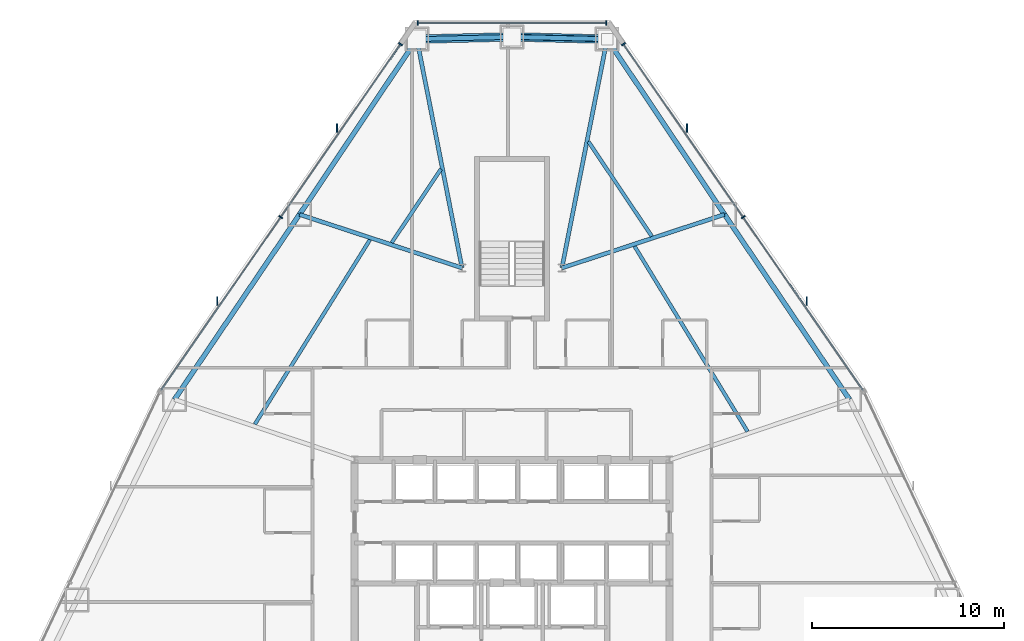
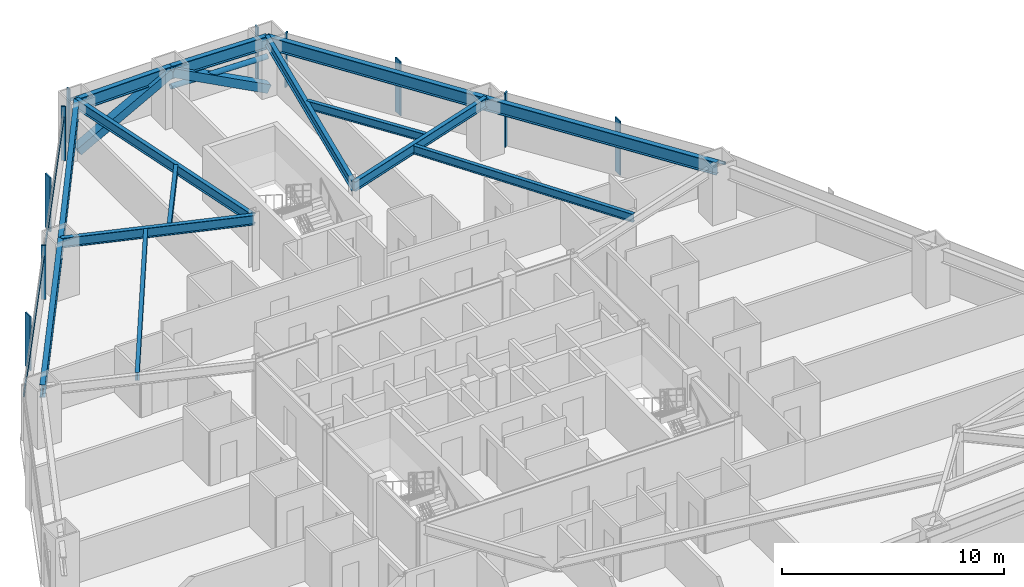
# One storey, part 7 of 13: 16 members, 14 beams, 3 elements without a shape of their own.
"""IFC4 building model written with IfcOpenShell, lengths in metres."""

from ifc_helpers import new_model, si_unit, direction, frame, origin, origin_2d, place, context, subcontext, project, spatial, rectangle, hollow_rectangle, hollow_circle, i_section, extrude, source, transform, mapped, material, layer, layer_set, material_profile, profile_set, type_object, type_shapes, element, aggregate, save


model = new_model("IFC4")

# Units and contexts
model_context = context("Model", 3, precision=1e-05, world=origin(), true_north=direction((0.0, 1.0)))
body_context = subcontext(model_context, "Body", "Model", "MODEL_VIEW")
ifc_project = project(units=[si_unit("LENGTHUNIT", "METRE"), si_unit("AREAUNIT", "SQUARE_METRE"), si_unit("VOLUMEUNIT", "CUBIC_METRE"), si_unit("PLANEANGLEUNIT", "RADIAN"), si_unit("MASSUNIT", "GRAM", prefix="KILO")], contexts=[model_context])

# Site, building, storey
site_placement = place(None, origin())
site = spatial("IfcSite", under=ifc_project, at=site_placement, CompositionType="ELEMENT")
building_placement = place(site_placement, origin())
building = spatial("IfcBuilding", under=site, at=building_placement, Name="Varakhsha Concourse Tower", CompositionType="ELEMENT")
storey_placement = place(building_placement, frame((0.0, 0.0, 46.39990234375)))
storey = spatial("IfcBuildingStorey", under=building, at=storey_placement, Name="L12", CompositionType="ELEMENT", Elevation=46.39990234375)

# Beams
ifc_material_1 = material(Name="Structural Steel ASTM A992 Grade 50", Category="steel")
ifc_material_profile_1 = material_profile(ifc_material_1, i_section(OverallWidth=0.19091796875, OverallDepth=0.45703125, WebThickness=0.009033203125, FlangeThickness=0.013916015625, at=origin_2d()), Name="W18X50")
ifc_profile_set_1 = profile_set([ifc_material_profile_1], Name="Structural Steel ASTM A992 Grade 50")
beam_type_1 = type_object("IfcBeamType", Name="BM-JST-W18X50", PredefinedType="JOIST", material=ifc_profile_set_1)
beam_1_placement = place(storey_placement, frame((36.301513671875, 46.353271484375, 2.751708984375), z_axis=(-0.556139741042, -0.831088796961, 0.0), x_axis=(0.831088796961, -0.556139741042, 0.0)))
element("IfcBeam", 1, at=beam_1_placement, inside=storey, type_object=beam_type_1, Name="BM-TJST-L12-03", PredefinedType="JOIST", context=body_context, shape_type="SweptSolid", body=[
    extrude(i_section(OverallWidth=0.19091796875, OverallDepth=0.45703125, WebThickness=0.009033203125, FlangeThickness=0.013916015625, at=origin_2d()), origin(), (0.0, 0.0, 1.0), 4.615478515625),
])
beam_2_placement = place(storey_placement, frame((32.598876953125, 42.666748046875, 2.751708984375), z_axis=(-0.529264354288, -0.84845697786, 0.0), x_axis=(0.84845697786, -0.529264354288, 0.0)))
element("IfcBeam", 2, at=beam_2_placement, inside=storey, type_object=beam_type_1, Name="BM-TJST-L12-04", PredefinedType="JOIST", context=body_context, shape_type="SweptSolid", body=[
    extrude(i_section(OverallWidth=0.19091796875, OverallDepth=0.45703125, WebThickness=0.009033203125, FlangeThickness=0.013916015625, at=origin_2d()), origin(), (0.0, 0.0, 1.0), 11.325439453125),
])
beam_3_placement = place(storey_placement, frame((52.2705078125, 32.68017578125, 2.751708984375), z_axis=(-0.520709938116, 0.853733658905, 0.0), x_axis=(-0.853733658905, -0.520709938116, 0.0)))
element("IfcBeam", 3, at=beam_3_placement, inside=storey, type_object=beam_type_1, Name="BM-TJST-L12-17", PredefinedType="JOIST", context=body_context, shape_type="SweptSolid", body=[
    extrude(i_section(OverallWidth=0.19091796875, OverallDepth=0.45703125, WebThickness=0.009033203125, FlangeThickness=0.013916015625, at=origin_2d()), origin(), (0.0, 0.0, 1.0), 11.30517578125),
])
beam_4_placement = place(storey_placement, frame((47.28173828125, 42.8515625, 2.751708984375), z_axis=(-0.556123442596, 0.831099703161, 0.0), x_axis=(-0.831099703161, -0.556123442596, 0.0)))
element("IfcBeam", 4, at=beam_4_placement, inside=storey, type_object=beam_type_1, Name="BM-TJST-L12-18", PredefinedType="JOIST", context=body_context, shape_type="SweptSolid", body=[
    extrude(i_section(OverallWidth=0.19091796875, OverallDepth=0.45703125, WebThickness=0.009033203125, FlangeThickness=0.013916015625, at=origin_2d()), origin(), (0.0, 0.0, 1.0), 5.9345703125),
])
ifc_material_profile_2 = material_profile(ifc_material_1, i_section(OverallWidth=0.2109375, OverallDepth=0.5390625, WebThickness=0.011962890625, FlangeThickness=0.01904296875, at=origin_2d()), Name="W21X73")
ifc_profile_set_2 = profile_set([ifc_material_profile_2], Name="Structural Steel ASTM A992 Grade 50")
beam_type_2 = type_object("IfcBeamType", Name="BM-RAD-W21X73", PredefinedType="BEAM", material=ifc_profile_set_2)
for number, where, z_axis, x_axis, name in (
    (5, (42.60009765625, 41.199951171875, 2.710693359375), (0.194017518597, 0.980998064462, 0.0), (-0.980998064462, 0.194017518597, 0.0), "L12 Radial Floor Girder 01"),
    (6, (37.39990234375, 41.199951171875, 2.710693359375), (-0.194017518597, 0.980998064462, 0.0), (-0.980998064462, -0.194017518597, 0.0), "L12 Radial Floor Girder 03"),
):
    element("IfcBeam", number, at=place(storey_placement, frame(where, z_axis=z_axis, x_axis=x_axis)), inside=storey, type_object=beam_type_2, Name=name, PredefinedType="BEAM", context=body_context, shape_type="SweptSolid", body=[
        extrude(i_section(OverallWidth=0.2109375, OverallDepth=0.5390625, WebThickness=0.011962890625, FlangeThickness=0.01904296875, at=origin_2d()), origin(), (0.0, 0.0, 1.0), 12.150634765625),
    ])
for number, where, z_axis, x_axis, name in (
    (7, (37.39990234375, 41.199951171875, 2.710693359375), (-0.949919158928, 0.312495746373, 0.0), (-0.312495746373, -0.949919158928, 0.0), "L12 Radial Floor Girder 04"),
    (8, (42.60009765625, 41.199951171875, 2.710693359375), (0.949919158928, 0.312495746373, 0.0), (-0.312495746373, 0.949919158928, 0.0), "L12 Radial Floor Girder 18"),
):
    element("IfcBeam", number, at=place(storey_placement, frame(where, z_axis=z_axis, x_axis=x_axis)), inside=storey, type_object=beam_type_2, Name=name, PredefinedType="BEAM", context=body_context, shape_type="SweptSolid", body=[
        extrude(i_section(OverallWidth=0.2109375, OverallDepth=0.5390625, WebThickness=0.011962890625, FlangeThickness=0.01904296875, at=origin_2d()), origin(), (0.0, 0.0, 1.0), 8.915771484375),
    ])
ifc_material_profile_3 = material_profile(ifc_material_1, i_section(OverallWidth=0.25390625, OverallDepth=0.701904296875, WebThickness=0.014892578125, FlangeThickness=0.028076171875, at=origin_2d()), Name="W27X129")
ifc_profile_set_3 = profile_set([ifc_material_profile_3], Name="Structural Steel ASTM A992 Grade 50")
beam_type_3 = type_object("IfcBeamType", Name="BM-SPAN-W27X129", PredefinedType="SPANDREL", material=ifc_profile_set_3)
for number, where, z_axis, x_axis, name in (
    (9, (44.95751953125, 53.11962890625, 2.629150390625), (-0.999719567284, 0.023680937253, 0.0), (-0.023680937253, -0.999719567284, 0.0), "BM-SPAN-L12-01"),
    (10, (40.0, 53.237060546875, 2.629150390625), (-0.999719567284, -0.023680937253, 0.0), (0.023680937253, -0.999719567284, 0.0), "BM-SPAN-L12-02"),
):
    element("IfcBeam", number, at=place(storey_placement, frame(where, z_axis=z_axis, x_axis=x_axis)), inside=storey, type_object=beam_type_3, Name=name, PredefinedType="SPANDREL", context=body_context, shape_type="SweptSolid", body=[
        extrude(i_section(OverallWidth=0.25390625, OverallDepth=0.701904296875, WebThickness=0.014892578125, FlangeThickness=0.028076171875, at=origin_2d()), origin(), (0.0, 0.0, 1.0), 4.958984375),
    ])
beam_5_placement = place(storey_placement, frame((35.04248046875, 53.11962890625, 2.629150390625), z_axis=(-0.556134813148, -0.831092094539, 0.0), x_axis=(0.831092094539, -0.556134813148, 0.0)))
element("IfcBeam", 11, at=beam_5_placement, inside=storey, type_object=beam_type_3, Name="BM-SPAN-L12-03", PredefinedType="SPANDREL", context=body_context, shape_type="SweptSolid", body=[
    extrude(i_section(OverallWidth=0.25390625, OverallDepth=0.701904296875, WebThickness=0.014892578125, FlangeThickness=0.028076171875, at=origin_2d()), origin(), (0.0, 0.0, 1.0), 10.98974609375),
])
for number, where, z_axis, x_axis, name in (
    (12, (28.9306640625, 43.986083984375, 2.629150390625), (-0.559921293573, -0.828545801392, 0.0), (0.828545801392, -0.559921293573, 0.0), "BM-SPAN-L12-04"),
    (13, (57.5810546875, 34.350341796875, 2.629150390625), (-0.559921293573, 0.828545801392, 0.0), (-0.828545801392, -0.559921293573, 0.0), "BM-SPAN-L12-17"),
):
    element("IfcBeam", number, at=place(storey_placement, frame(where, z_axis=z_axis, x_axis=x_axis)), inside=storey, type_object=beam_type_3, Name=name, PredefinedType="SPANDREL", context=body_context, shape_type="SweptSolid", body=[
        extrude(i_section(OverallWidth=0.25390625, OverallDepth=0.701904296875, WebThickness=0.014892578125, FlangeThickness=0.028076171875, at=origin_2d()), origin(), (0.0, 0.0, 1.0), 11.629638671875),
    ])
beam_6_placement = place(storey_placement, frame((51.0693359375, 43.986083984375, 2.629150390625), z_axis=(-0.556134813148, 0.831092094539, 0.0), x_axis=(-0.831092094539, -0.556134813148, 0.0)))
element("IfcBeam", 14, at=beam_6_placement, inside=storey, type_object=beam_type_3, Name="BM-SPAN-L12-18", PredefinedType="SPANDREL", context=body_context, shape_type="SweptSolid", body=[
    extrude(i_section(OverallWidth=0.25390625, OverallDepth=0.701904296875, WebThickness=0.014892578125, FlangeThickness=0.028076171875, at=origin_2d()), origin(), (0.0, 0.0, 1.0), 10.98974609375),
])

# Members
ifc_material_2 = material(Name="Structural Steel ASTM A500 Grade C", Category="steel")
ifc_material_profile_4 = material_profile(ifc_material_2, hollow_rectangle(XDim=0.449951171875, YDim=0.449951171875, WallThickness=0.01904296875, at=origin_2d()), Name="HSS 450x450x19")
ifc_profile_set_4 = profile_set([ifc_material_profile_4], Name="Structural Steel ASTM A500 Grade C")
member_type_1 = type_object("IfcMemberType", Name="MB-TUBE-HSS450", PredefinedType="BRACE", material=ifc_profile_set_4)
shared_shape_1 = source(origin(), body_context, "Body", "SweptSolid", [
    extrude(hollow_rectangle(XDim=0.449951171875, YDim=0.449951171875, WallThickness=0.01904296875, at=origin_2d()), origin(), (0.0, 0.0, 1.0), 5.580810546875),
])
type_shapes(member_type_1, [shared_shape_1])
for number, where, z_axis, x_axis, name in (
    (15, (44.95751953125, 53.11962890625, 0.1201171875), (-0.88832610947, 0.021042295807, 0.458730797986), (-0.023680937253, -0.999719567284, 0.0), "L12 Wind-Corner Tube Brace B01"),
    (16, (35.04248046875, 53.11962890625, 0.1201171875), (0.88832610947, 0.021042295807, 0.458730797986), (-0.023680937253, 0.999719567284, 0.0), "L12 Wind-Corner Tube Brace B02"),
):
    element("IfcMember", number, at=place(storey_placement, frame(where, z_axis=z_axis, x_axis=x_axis)), inside=storey, type_object=member_type_1, Name=name, PredefinedType="BRACE", context=body_context, shape_type="MappedRepresentation", body=[
        mapped(shared_shape_1, transform((0.0, 0.0, 0.0), scale=1.0)),
    ])
ifc_material_profile_5 = material_profile(ifc_material_2, hollow_circle(Radius=0.136474609375, WallThickness=0.011962890625, at=origin_2d()), Name="CHS 273x12")
ifc_profile_set_5 = profile_set([ifc_material_profile_5], Name="Structural Steel ASTM A500 Grade C")
member_type_2 = type_object("IfcMemberType", Name="MB-WIND-CHS273", PredefinedType="COLLAR", material=ifc_profile_set_5)
shared_shape_2 = source(origin(), body_context, "Body", "SweptSolid", [
    extrude(hollow_circle(Radius=0.136474609375, WallThickness=0.011962890625, at=origin_2d()), origin(), (0.0, 0.0, 1.0), 4.958984375),
])
type_shapes(member_type_2, [shared_shape_2])
member_1_placement = place(storey_placement, frame((44.95751953125, 53.11962890625, 1.800048828125), z_axis=(-0.999719567284, 0.023680937253, 0.0), x_axis=(-0.023680937253, -0.999719567284, 0.0)))
element("IfcMember", 17, at=member_1_placement, inside=storey, type_object=member_type_2, Name="L12 Wind-Corner Collar Tie 1", PredefinedType="COLLAR", context=body_context, shape_type="MappedRepresentation", body=[
    mapped(shared_shape_2, transform((0.0, 0.0, 0.0), scale=1.0)),
])

# Curtain wall, members
ifc_material_3 = material(Name="Anodised Bronze Architectural Aluminium AA 6063-T6", Category="aluminium")
ifc_layer = layer(ifc_material_3, 0.219970703125, Name="CW-SYS-02")
ifc_layer_set = layer_set([ifc_layer], Name="Anodised Bronze Architectural Aluminium AA 6063-T6")
curtain_wall_type = type_object("IfcCurtainWallType", Name="CW-SYS-02", PredefinedType="NOTDEFINED", material=ifc_layer_set)
curtain_wall_1_placement = place(storey_placement, origin())
curtain_wall_1 = element("IfcCurtainWall", 18, at=curtain_wall_1_placement, inside=storey, type_object=curtain_wall_type, Name="L12 Chamfer Curtain Wall F1", PredefinedType="NOTDEFINED")
ifc_material_profile_6 = material_profile(ifc_material_3, rectangle(XDim=0.074951171875, YDim=0.219970703125, at=origin_2d()), Name="CWM-220X75")
ifc_profile_set_6 = profile_set([ifc_material_profile_6], Name="Anodised Bronze Architectural Aluminium AA 6063-T6")
member_type_3 = type_object("IfcMemberType", Name="CWM-220X75", PredefinedType="MULLION", material=ifc_profile_set_6)
shared_shape_3 = source(origin(), body_context, "Body", "SweptSolid", [
    extrude(rectangle(XDim=0.074951171875, YDim=0.219970703125, at=origin_2d()), origin(), (0.0, 0.0, 1.0), 2.97998046875),
])
type_shapes(member_type_3, [shared_shape_3])
member_2_placement = place(storey_placement, frame((35.091552734375, 53.95703125, 0.0), z_axis=(0.0, 0.0, 1.0), x_axis=(1.0, 0.0, 0.0)))
member_2 = element("IfcMember", 19, at=member_2_placement, type_object=member_type_3, Name="CW-L12-F1 Mullion 00", PredefinedType="MULLION", context=body_context, shape_type="MappedRepresentation", body=[
    mapped(shared_shape_3, transform((0.0, 0.0, 0.0), scale=1.0)),
])
member_3_placement = place(storey_placement, frame((44.908447265625, 53.95703125, 0.0), z_axis=(0.0, 0.0, 1.0), x_axis=(1.0, 0.0, 0.0)))
member_3 = element("IfcMember", 20, at=member_3_placement, type_object=member_type_3, Name="CW-L12-F1 Mullion 01", PredefinedType="MULLION", context=body_context, shape_type="MappedRepresentation", body=[
    mapped(shared_shape_3, transform((0.0, 0.0, 0.0), scale=1.0)),
])

curtain_wall_2_placement = place(storey_placement, origin())
curtain_wall_2 = element("IfcCurtainWall", 21, at=curtain_wall_2_placement, inside=storey, type_object=curtain_wall_type, Name="L12 Crystal Curtain Wall F2", PredefinedType="NOTDEFINED")
member_4_placement = place(storey_placement, frame((27.957275390625, 43.844482421875, 0.0), z_axis=(0.0, 0.0, 1.0), x_axis=(0.569057091236, 0.822298015877, 0.0)))
member_4 = element("IfcMember", 22, at=member_4_placement, type_object=member_type_3, Name="CW-L12-F2 Mullion 01", PredefinedType="MULLION", context=body_context, shape_type="MappedRepresentation", body=[
    mapped(shared_shape_3, transform((0.0, 0.0, 0.0), scale=1.0)),
])
member_5_placement = place(storey_placement, frame((34.195068359375, 52.8583984375, 0.0), z_axis=(0.0, 0.0, 1.0), x_axis=(0.569057091236, 0.822298015877, 0.0)))
member_5 = element("IfcMember", 23, at=member_5_placement, type_object=member_type_3, Name="CW-L12-F2 Mullion 02", PredefinedType="MULLION", context=body_context, shape_type="MappedRepresentation", body=[
    mapped(shared_shape_3, transform((0.0, 0.0, 0.0), scale=1.0)),
])

curtain_wall_3_placement = place(storey_placement, origin())
curtain_wall_3 = element("IfcCurtainWall", 24, at=curtain_wall_3_placement, inside=storey, type_object=curtain_wall_type, Name="L12 Crystal Curtain Wall F9", PredefinedType="NOTDEFINED")
member_6_placement = place(storey_placement, frame((45.804931640625, 52.8583984375, 0.0), z_axis=(0.0, 0.0, 1.0), x_axis=(0.569057091236, -0.822298015877, 0.0)))
member_6 = element("IfcMember", 25, at=member_6_placement, type_object=member_type_3, Name="CW-L12-F9 Mullion 00", PredefinedType="MULLION", context=body_context, shape_type="MappedRepresentation", body=[
    mapped(shared_shape_3, transform((0.0, 0.0, 0.0), scale=1.0)),
])
member_7_placement = place(storey_placement, frame((52.042724609375, 43.8447265625, 0.0), z_axis=(0.0, 0.0, 1.0), x_axis=(0.569057091236, -0.822298015877, 0.0)))
member_7 = element("IfcMember", 26, at=member_7_placement, type_object=member_type_3, Name="CW-L12-F9 Mullion 01", PredefinedType="MULLION", context=body_context, shape_type="MappedRepresentation", body=[
    mapped(shared_shape_3, transform((0.0, 0.0, 0.0), scale=1.0)),
])

# Member
ifc_material_profile_7 = material_profile(ifc_material_3, rectangle(XDim=0.06494140625, YDim=0.449951171875, at=origin_2d()), Name="FIN-BRZ-450")
ifc_profile_set_7 = profile_set([ifc_material_profile_7], Name="Anodised Bronze Architectural Aluminium AA 6063-T6")
member_type_4 = type_object("IfcMemberType", Name="FIN-BRZ-450", PredefinedType="USERDEFINED", material=ifc_profile_set_7)
shared_shape_4 = source(origin(), body_context, "Body", "SweptSolid", [
    extrude(rectangle(XDim=0.06494140625, YDim=0.449951171875, at=origin_2d()), origin(), (0.0, 0.0, 1.0), 2.97998046875),
])
type_shapes(member_type_4, [shared_shape_4])
member_8_placement = place(storey_placement, frame((24.64111328125, 39.474609375, 0.0), z_axis=(0.0, 0.0, 1.0), x_axis=(1.0, 0.0, 0.0)))
member_8 = element("IfcMember", 27, at=member_8_placement, type_object=member_type_4, Name="L12 Anodised Bronze Solar Fin F2-1", ObjectType="SOLAR FIN", PredefinedType="USERDEFINED", context=body_context, shape_type="MappedRepresentation", body=[
    mapped(shared_shape_4, transform((0.0, 0.0, 0.0), scale=1.0)),
])

member_9_placement = place(storey_placement, frame((30.87890625, 48.488037109375, 0.0), z_axis=(0.0, 0.0, 1.0), x_axis=(1.0, 0.0, 0.0)))
member_9 = element("IfcMember", 28, at=member_9_placement, type_object=member_type_4, Name="L12 Anodised Bronze Solar Fin F2-2", ObjectType="SOLAR FIN", PredefinedType="USERDEFINED", context=body_context, shape_type="MappedRepresentation", body=[
    mapped(shared_shape_4, transform((0.0, 0.0, 0.0), scale=1.0)),
])

member_10_placement = place(storey_placement, frame((49.12109375, 48.488037109375, 0.0), z_axis=(0.0, 0.0, 1.0), x_axis=(1.0, 0.0, 0.0)))
member_10 = element("IfcMember", 29, at=member_10_placement, type_object=member_type_4, Name="L12 Anodised Bronze Solar Fin F9-1", ObjectType="SOLAR FIN", PredefinedType="USERDEFINED", context=body_context, shape_type="MappedRepresentation", body=[
    mapped(shared_shape_4, transform((0.0, 0.0, 0.0), scale=1.0)),
])

member_11_placement = place(storey_placement, frame((55.35888671875, 39.474609375, 0.0), z_axis=(0.0, 0.0, 1.0), x_axis=(1.0, 0.0, 0.0)))
member_11 = element("IfcMember", 30, at=member_11_placement, type_object=member_type_4, Name="L12 Anodised Bronze Solar Fin F9-2", ObjectType="SOLAR FIN", PredefinedType="USERDEFINED", context=body_context, shape_type="MappedRepresentation", body=[
    mapped(shared_shape_4, transform((0.0, 0.0, 0.0), scale=1.0)),
])

ifc_material_profile_8 = material_profile(ifc_material_3, rectangle(XDim=0.06494140625, YDim=0.159912109375, at=origin_2d()), Name="CWT-160X65")
ifc_profile_set_8 = profile_set([ifc_material_profile_8], Name="Anodised Bronze Architectural Aluminium AA 6063-T6")
member_type_5 = type_object("IfcMemberType", Name="CWT-160X65", PredefinedType="USERDEFINED", material=ifc_profile_set_8)
shared_shape_5 = source(origin(), body_context, "Body", "SweptSolid", [
    extrude(rectangle(XDim=0.06494140625, YDim=0.159912109375, at=origin_2d()), origin(), (0.0, 0.0, 1.0), 9.81689453125),
])
member_12_placement = place(storey_placement, frame((35.091552734375, 53.95703125, 2.330078125), z_axis=(1.0, 0.0, 0.0), x_axis=(0.0, 1.0, 0.0)))
member_12 = element("IfcMember", 31, at=member_12_placement, type_object=member_type_5, Name="CW-L12-F1 Transom 01", ObjectType="TRANSOM", PredefinedType="USERDEFINED", context=body_context, shape_type="MappedRepresentation", body=[
    mapped(shared_shape_5, transform((0.0, 0.0, 0.0), scale=1.0)),
])

aggregate(curtain_wall_1, [member_2, member_3, member_12])

shared_shape_6 = source(origin(), body_context, "Body", "SweptSolid", [
    extrude(rectangle(XDim=0.06494140625, YDim=0.159912109375, at=origin_2d()), origin(), (0.0, 0.0, 1.0), 21.923095703125),
])
type_shapes(member_type_5, [shared_shape_5, shared_shape_6])
member_13_placement = place(storey_placement, frame((21.719482421875, 34.8310546875, 2.330078125), z_axis=(0.569059407971, 0.822296412615, 0.0), x_axis=(-0.822296412615, 0.569059407971, 0.0)))
member_13 = element("IfcMember", 32, at=member_13_placement, type_object=member_type_5, Name="CW-L12-F2 Transom 01", ObjectType="TRANSOM", PredefinedType="USERDEFINED", context=body_context, shape_type="MappedRepresentation", body=[
    mapped(shared_shape_6, transform((0.0, 0.0, 0.0), scale=1.0)),
])

aggregate(curtain_wall_2, [member_4, member_5, member_13, member_8, member_9])

member_14_placement = place(storey_placement, frame((45.804931640625, 52.8583984375, 2.330078125), z_axis=(0.569059407971, -0.822296412615, 0.0), x_axis=(0.822296412615, 0.569059407971, 0.0)))
member_14 = element("IfcMember", 33, at=member_14_placement, type_object=member_type_5, Name="CW-L12-F9 Transom 01", ObjectType="TRANSOM", PredefinedType="USERDEFINED", context=body_context, shape_type="MappedRepresentation", body=[
    mapped(shared_shape_6, transform((0.0, 0.0, 0.0), scale=1.0)),
])

aggregate(curtain_wall_3, [member_6, member_7, member_14, member_10, member_11])

save(model, "model.ifc")
